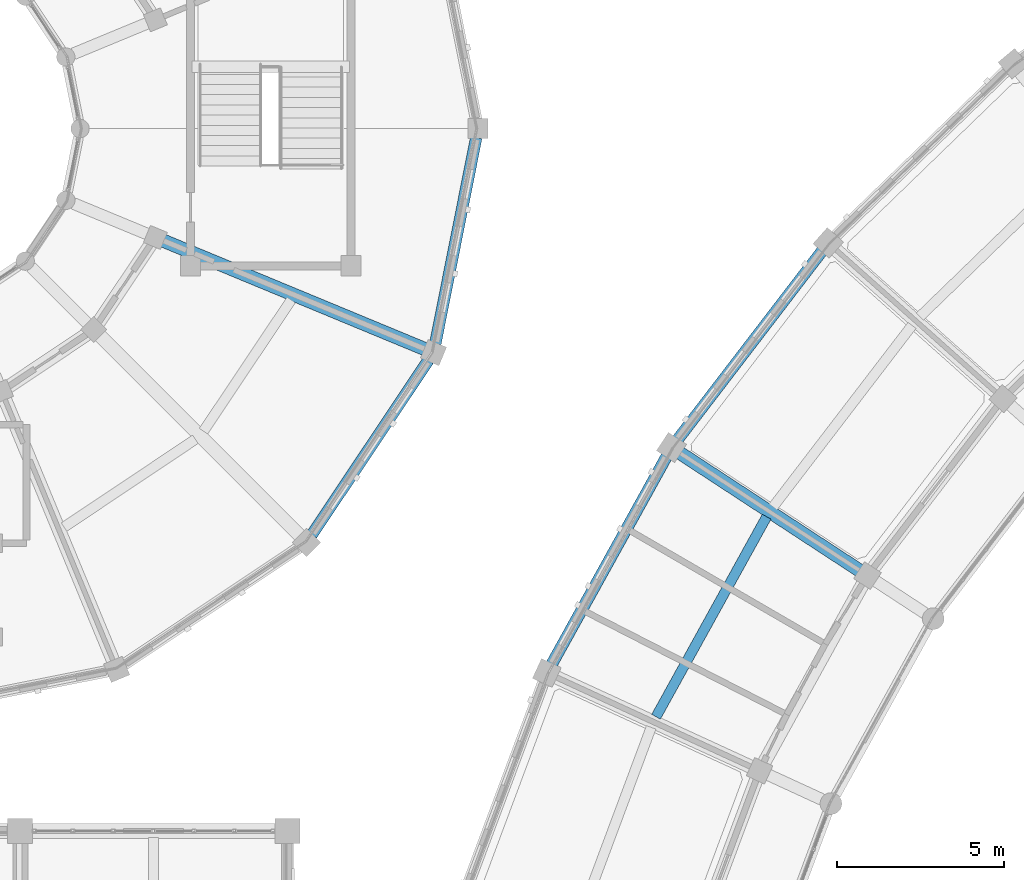
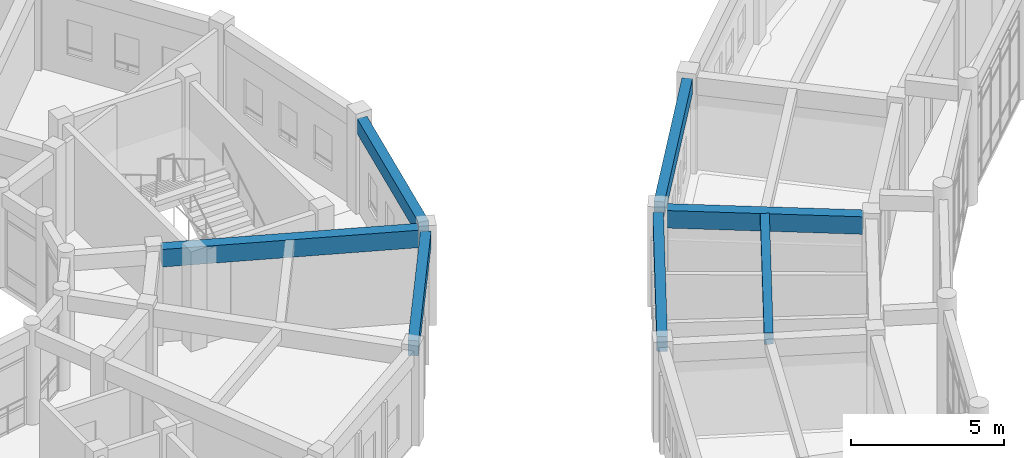
# One storey, part 63 of 159: 7 beams.
"""IFC4 building model written with IfcOpenShell, lengths in metres."""

from ifc_helpers import new_model, si_unit, direction, frame, origin, origin_2d, place, context, subcontext, project, spatial, rectangle, extrude, material, material_profile, profile_set, type_object, element, save


model = new_model("IFC4")

# Units and contexts
model_context = context("Model", 3, precision=1e-05, world=origin(), true_north=direction((0.0, 1.0)))
body_context = subcontext(model_context, "Body", "Model", "MODEL_VIEW")
ifc_project = project(units=[si_unit("LENGTHUNIT", "METRE"), si_unit("AREAUNIT", "SQUARE_METRE"), si_unit("VOLUMEUNIT", "CUBIC_METRE"), si_unit("PLANEANGLEUNIT", "RADIAN"), si_unit("MASSUNIT", "GRAM", prefix="KILO")], contexts=[model_context])

# Site, building, storey
site_placement = place(None, origin())
site = spatial("IfcSite", under=ifc_project, at=site_placement, CompositionType="ELEMENT")
building_placement = place(site_placement, origin())
building = spatial("IfcBuilding", under=site, at=building_placement, Name="Celadon Cloister-Ring School", CompositionType="ELEMENT")
storey_placement = place(building_placement, frame((0.0, 0.0, 4.5)))
storey = spatial("IfcBuildingStorey", under=building, at=storey_placement, Name="L01", CompositionType="ELEMENT", Elevation=4.5)

# Beams
ifc_material_1 = material(Name="Concrete C35/45", Category="concrete")
ifc_material_profile_1 = material_profile(ifc_material_1, rectangle(XDim=0.39990234375, YDim=0.699951171875, at=origin_2d()), Name="RC400X700")
ifc_profile_set_1 = profile_set([ifc_material_profile_1], Name="Concrete C35/45")
beam_type_1 = type_object("IfcBeamType", Name="GT-03", PredefinedType="USERDEFINED", material=ifc_profile_set_1)
beam_1_placement = place(storey_placement, frame((43.735107421875, 87.302978515625, 3.429931640625), z_axis=(0.83687052952, -0.547400873968, 0.0), x_axis=(0.547400873968, 0.83687052952, 0.0)))
element("IfcBeam", 1, at=beam_1_placement, inside=storey, type_object=beam_type_1, Name="Beam 0205", ObjectType="GIRDER", PredefinedType="USERDEFINED", context=body_context, shape_type="SweptSolid", body=[
    extrude(rectangle(XDim=0.39990234375, YDim=0.699951171875, at=origin_2d()), origin(), (0.0, 0.0, 1.0), 6.425048828125),
])
beam_2_placement = place(storey_placement, frame((36.114013671875, 90.407958984375, 3.429931640625), z_axis=(-0.923896411609, 0.382642680076, 0.0), x_axis=(-0.382642680076, -0.923896411609, 0.0)))
element("IfcBeam", 2, at=beam_2_placement, inside=storey, type_object=beam_type_1, Name="Beam 0682", ObjectType="GIRDER", PredefinedType="USERDEFINED", context=body_context, shape_type="SweptSolid", body=[
    extrude(rectangle(XDim=0.39990234375, YDim=0.699951171875, at=origin_2d()), origin(), (0.0, 0.0, 1.0), 8.47509765625),
])
ifc_material_2 = material(Name="Concrete C35/45", Category="concrete")
ifc_material_profile_2 = material_profile(ifc_material_2, rectangle(XDim=0.300048828125, YDim=0.449951171875, at=origin_2d()), Name="RC300X450")
ifc_profile_set_2 = profile_set([ifc_material_profile_2], Name="Concrete C35/45")
beam_type_2 = type_object("IfcBeamType", Name="JT-01", PredefinedType="JOIST", material=ifc_profile_set_2)
beam_3_placement = place(storey_placement, frame((46.327880859375, 85.39794921875, 3.554931640625), z_axis=(-0.483807076249, -0.875174675692, 0.0), x_axis=(0.875174675692, -0.483807076249, 0.0)))
element("IfcBeam", 3, at=beam_3_placement, inside=storey, type_object=beam_type_2, Name="Beam 0282", PredefinedType="JOIST", context=body_context, shape_type="SweptSolid", body=[
    extrude(rectangle(XDim=0.300048828125, YDim=0.449951171875, at=origin_2d()), origin(), (0.0, 0.0, 1.0), 6.835205078125),
])
ifc_material_3 = material(Name="Concrete C35/45", Category="concrete")
ifc_material_profile_3 = material_profile(ifc_material_3, rectangle(XDim=0.35009765625, YDim=0.60009765625, at=origin_2d()), Name="RC350X600")
ifc_profile_set_3 = profile_set([ifc_material_profile_3], Name="Concrete C35/45")
beam_type_3 = type_object("IfcBeamType", Name="SP-01", PredefinedType="SPANDREL", material=ifc_profile_set_3)
beam_4_placement = place(storey_placement, frame((47.986083984375, 93.345947265625, 3.47998046875), z_axis=(-0.608023888407, -0.793918730807, 0.0), x_axis=(0.793918730807, -0.608023888407, 0.0)))
element("IfcBeam", 4, at=beam_4_placement, inside=storey, type_object=beam_type_3, Name="Beam 0275", PredefinedType="SPANDREL", context=body_context, shape_type="SweptSolid", body=[
    extrude(rectangle(XDim=0.35009765625, YDim=0.60009765625, at=origin_2d()), origin(), (0.0, 0.0, 1.0), 7.10498046875),
])
beam_5_placement = place(storey_placement, frame((43.339111328125, 87.2041015625, 3.47998046875), z_axis=(-0.484072024613, -0.875028156683, 0.0), x_axis=(0.875028156683, -0.484072024613, 0.0)))
element("IfcBeam", 5, at=beam_5_placement, inside=storey, type_object=beam_type_3, Name="Beam 0279", PredefinedType="SPANDREL", context=body_context, shape_type="SweptSolid", body=[
    extrude(rectangle(XDim=0.35009765625, YDim=0.60009765625, at=origin_2d()), origin(), (0.0, 0.0, 1.0), 7.102783203125),
])
for number, where, z_axis, x_axis, name in (
    (6, (32.72705078125, 84.85498046875, 3.47998046875), (0.555660177561, 0.831409506244, 0.0), (-0.831409506244, 0.555660177561, 0.0), "Beam 0728"),
    (7, (36.422119140625, 90.572998046875, 3.47998046875), (0.194964206518, 0.980810357907, 0.0), (-0.980810357907, 0.194964206518, 0.0), "Beam 0732"),
):
    element("IfcBeam", number, at=place(storey_placement, frame(where, z_axis=z_axis, x_axis=x_axis)), inside=storey, type_object=beam_type_3, Name=name, PredefinedType="SPANDREL", context=body_context, shape_type="SweptSolid", body=[
        extrude(rectangle(XDim=0.35009765625, YDim=0.60009765625, at=origin_2d()), origin(), (0.0, 0.0, 1.0), 6.27734375),
    ])

save(model, "model.ifc")
